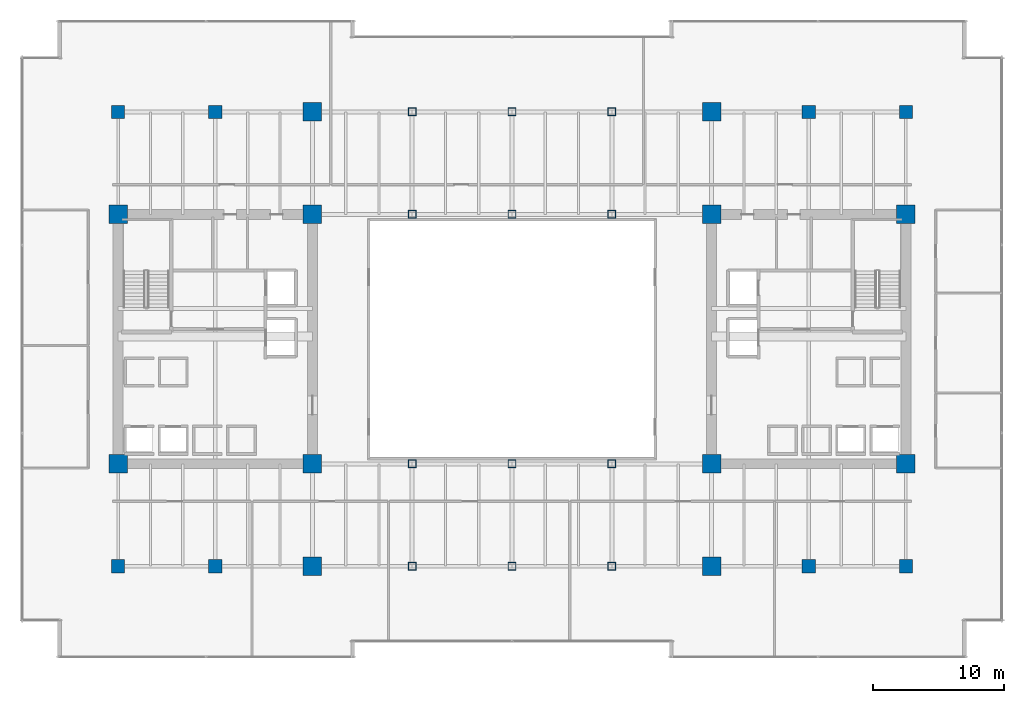
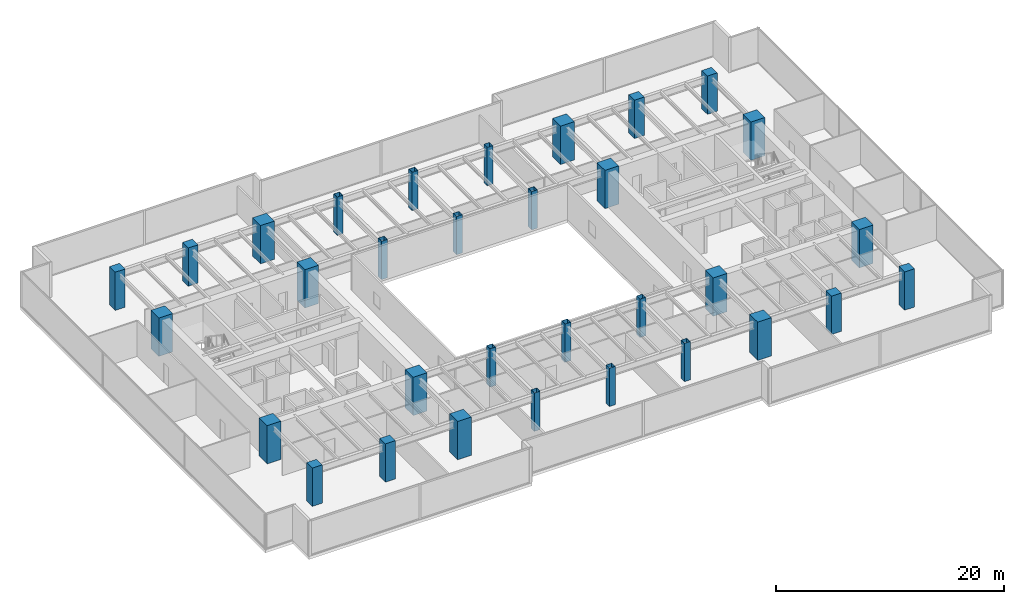
# One storey, part 1 of 35: 32 columns.
"""IFC4 building model written with IfcOpenShell, lengths in metres."""

from ifc_helpers import new_model, si_unit, direction, frame, origin, origin_2d, place, context, subcontext, project, spatial, rectangle, hollow_rectangle, extrude, source, transform, mapped, material, material_profile, profile_set, type_object, type_shapes, element, save


model = new_model("IFC4")

# Units and contexts
model_context = context("Model", 3, precision=1e-05, world=origin(), true_north=direction((0.0, 1.0)))
body_context = subcontext(model_context, "Body", "Model", "MODEL_VIEW")
ifc_project = project(units=[si_unit("LENGTHUNIT", "METRE"), si_unit("AREAUNIT", "SQUARE_METRE"), si_unit("VOLUMEUNIT", "CUBIC_METRE"), si_unit("PLANEANGLEUNIT", "RADIAN"), si_unit("MASSUNIT", "GRAM", prefix="KILO")], contexts=[model_context])

# Site, building, storey
site_placement = place(None, origin())
site = spatial("IfcSite", under=ifc_project, at=site_placement, CompositionType="ELEMENT")
building_placement = place(site_placement, origin())
building = spatial("IfcBuilding", under=site, at=building_placement, Name="Haelvirn Gate Laboratories", CompositionType="ELEMENT")
storey_placement = place(building_placement, frame((0.0, 0.0, 86.699951171875)))
storey = spatial("IfcBuildingStorey", under=building, at=storey_placement, Name="L21", CompositionType="ELEMENT", Elevation=86.699951171875)

# Columns
ifc_material_1 = material(Name="Concrete C60/75", Category="concrete")
ifc_material_profile_1 = material_profile(ifc_material_1, rectangle(XDim=1.0, YDim=1.0, at=origin_2d()), Name="RC-1000x1000")
ifc_profile_set_1 = profile_set([ifc_material_profile_1], Name="Concrete C60/75")
column_type_1 = type_object("IfcColumnType", Name="COL-RC-1000", PredefinedType="COLUMN", material=ifc_profile_set_1)
shared_shape_1 = source(origin(), body_context, "Body", "SweptSolid", [
    extrude(rectangle(XDim=1.0, YDim=1.0, at=origin_2d()), origin(), (0.0, 0.0, 1.0), 4.10009765625),
])
type_shapes(column_type_1, [shared_shape_1])
for number, where, z_axis, x_axis, name in (
    (1, (14.800048828125, 7.0, 0.0), (0.0, 0.0, 1.0), (1.0, 0.0, 0.0), "L21 Column 3B"),
    (2, (14.800048828125, 41.60009765625, 0.0), (0.0, 0.0, 1.0), (1.0, 0.0, 0.0), "L21 Column 3G"),
    (3, (60.0, 7.0, 0.0), (0.0, 0.0, 1.0), (1.0, 0.0, 0.0), "L21 Column 9B"),
    (4, (60.0, 41.60009765625, 0.0), (0.0, 0.0, 1.0), (1.0, 0.0, 0.0), "L21 Column 9G"),
    (5, (7.39990234375, 7.0, 0.0), (0.0, 0.0, 1.0), (1.0, 0.0, 0.0), "L21 Column 2B"),
    (6, (7.39990234375, 41.60009765625, 0.0), (0.0, 0.0, 1.0), (1.0, 0.0, 0.0), "L21 Column 2G"),
    (7, (67.39990234375, 7.0, 0.0), (0.0, 0.0, 1.0), (1.0, 0.0, 0.0), "L21 Column 10B"),
    (8, (67.39990234375, 41.60009765625, 0.0), (0.0, 0.0, 1.0), (1.0, 0.0, 0.0), "L21 Column 10G"),
):
    element("IfcColumn", number, at=place(storey_placement, frame(where, z_axis=z_axis, x_axis=x_axis)), inside=storey, type_object=column_type_1, Name=name, PredefinedType="COLUMN", context=body_context, shape_type="MappedRepresentation", body=[
        mapped(shared_shape_1, transform((0.0, 0.0, 0.0), scale=1.0)),
    ])
ifc_material_2 = material(Name="Concrete C70/85", Category="concrete")
ifc_material_profile_2 = material_profile(ifc_material_2, rectangle(XDim=1.39990234375, YDim=1.39990234375, at=origin_2d()), Name="SRC-1400x1400")
ifc_profile_set_2 = profile_set([ifc_material_profile_2], Name="Concrete C70/85")
column_type_2 = type_object("IfcColumnType", Name="COL-SRC-1400", PredefinedType="COLUMN", material=ifc_profile_set_2)
shared_shape_2 = source(origin(), body_context, "Body", "SweptSolid", [
    extrude(rectangle(XDim=1.39990234375, YDim=1.39990234375, at=origin_2d()), origin(), (0.0, 0.0, 1.0), 4.10009765625),
])
type_shapes(column_type_2, [shared_shape_2])
for number, where, z_axis, x_axis, name in (
    (9, (22.199951171875, 7.0, 0.0), (0.0, 0.0, 1.0), (1.0, 0.0, 0.0), "L21 Column 4B"),
    (10, (7.39990234375, 14.800048828125, 0.0), (0.0, 0.0, 1.0), (1.0, 0.0, 0.0), "L21 Column 2C"),
    (11, (22.199951171875, 14.800048828125, 0.0), (0.0, 0.0, 1.0), (1.0, 0.0, 0.0), "L21 Column 4C"),
    (12, (7.39990234375, 33.800048828125, 0.0), (0.0, 0.0, 1.0), (1.0, 0.0, 0.0), "L21 Column 2F"),
    (13, (22.199951171875, 33.800048828125, 0.0), (0.0, 0.0, 1.0), (1.0, 0.0, 0.0), "L21 Column 4F"),
    (14, (22.199951171875, 41.60009765625, 0.0), (0.0, 0.0, 1.0), (1.0, 0.0, 0.0), "L21 Column 4G"),
    (15, (52.60009765625, 7.0, 0.0), (0.0, 0.0, 1.0), (1.0, 0.0, 0.0), "L21 Column 8B"),
    (16, (52.60009765625, 14.800048828125, 0.0), (0.0, 0.0, 1.0), (1.0, 0.0, 0.0), "L21 Column 8C"),
    (17, (67.39990234375, 14.800048828125, 0.0), (0.0, 0.0, 1.0), (1.0, 0.0, 0.0), "L21 Column 10C"),
    (18, (52.60009765625, 33.800048828125, 0.0), (0.0, 0.0, 1.0), (1.0, 0.0, 0.0), "L21 Column 8F"),
    (19, (67.39990234375, 33.800048828125, 0.0), (0.0, 0.0, 1.0), (1.0, 0.0, 0.0), "L21 Column 10F"),
    (20, (52.60009765625, 41.60009765625, 0.0), (0.0, 0.0, 1.0), (1.0, 0.0, 0.0), "L21 Column 8G"),
):
    element("IfcColumn", number, at=place(storey_placement, frame(where, z_axis=z_axis, x_axis=x_axis)), inside=storey, type_object=column_type_2, Name=name, PredefinedType="COLUMN", context=body_context, shape_type="MappedRepresentation", body=[
        mapped(shared_shape_2, transform((0.0, 0.0, 0.0), scale=1.0)),
    ])
ifc_material_3 = material(Name="Steel SM420", Category="steel")
ifc_material_profile_3 = material_profile(ifc_material_3, hollow_rectangle(XDim=0.60009765625, YDim=0.60009765625, WallThickness=0.028076171875, at=origin_2d()), Name="BOX-600x600x28")
ifc_profile_set_3 = profile_set([ifc_material_profile_3], Name="Steel SM420")
column_type_3 = type_object("IfcColumnType", Name="COL-BOX-600", PredefinedType="COLUMN", material=ifc_profile_set_3)
shared_shape_3 = source(origin(), body_context, "Body", "SweptSolid", [
    extrude(hollow_rectangle(XDim=0.60009765625, YDim=0.60009765625, WallThickness=0.028076171875, at=origin_2d()), origin(), (0.0, 0.0, 1.0), 4.10009765625),
])
type_shapes(column_type_3, [shared_shape_3])
for number, where, z_axis, x_axis, name in (
    (21, (29.800048828125, 7.0, 0.0), (0.0, 0.0, 1.0), (1.0, 0.0, 0.0), "L21 Column 5B"),
    (22, (29.800048828125, 14.800048828125, 0.0), (0.0, 0.0, 1.0), (1.0, 0.0, 0.0), "L21 Column 5C"),
    (23, (29.800048828125, 33.800048828125, 0.0), (0.0, 0.0, 1.0), (1.0, 0.0, 0.0), "L21 Column 5F"),
    (24, (29.800048828125, 41.60009765625, 0.0), (0.0, 0.0, 1.0), (1.0, 0.0, 0.0), "L21 Column 5G"),
    (25, (37.39990234375, 7.0, 0.0), (0.0, 0.0, 1.0), (1.0, 0.0, 0.0), "L21 Column 6B"),
    (26, (37.39990234375, 14.800048828125, 0.0), (0.0, 0.0, 1.0), (1.0, 0.0, 0.0), "L21 Column 6C"),
    (27, (37.39990234375, 33.800048828125, 0.0), (0.0, 0.0, 1.0), (1.0, 0.0, 0.0), "L21 Column 6F"),
    (28, (37.39990234375, 41.60009765625, 0.0), (0.0, 0.0, 1.0), (1.0, 0.0, 0.0), "L21 Column 6G"),
    (29, (45.0, 7.0, 0.0), (0.0, 0.0, 1.0), (1.0, 0.0, 0.0), "L21 Column 7B"),
    (30, (45.0, 14.800048828125, 0.0), (0.0, 0.0, 1.0), (1.0, 0.0, 0.0), "L21 Column 7C"),
    (31, (45.0, 33.800048828125, 0.0), (0.0, 0.0, 1.0), (1.0, 0.0, 0.0), "L21 Column 7F"),
    (32, (45.0, 41.60009765625, 0.0), (0.0, 0.0, 1.0), (1.0, 0.0, 0.0), "L21 Column 7G"),
):
    element("IfcColumn", number, at=place(storey_placement, frame(where, z_axis=z_axis, x_axis=x_axis)), inside=storey, type_object=column_type_3, Name=name, PredefinedType="COLUMN", context=body_context, shape_type="MappedRepresentation", body=[
        mapped(shared_shape_3, transform((0.0, 0.0, 0.0), scale=1.0)),
    ])

save(model, "model.ifc")
